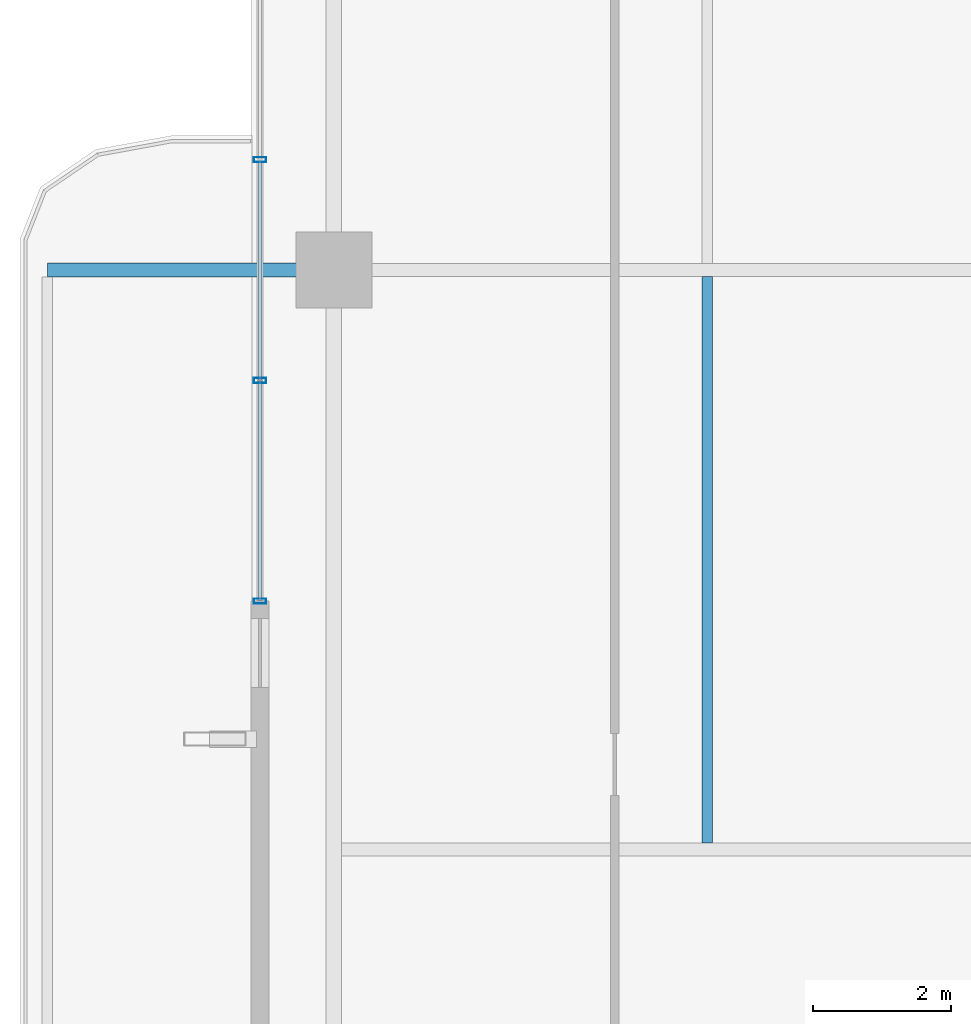
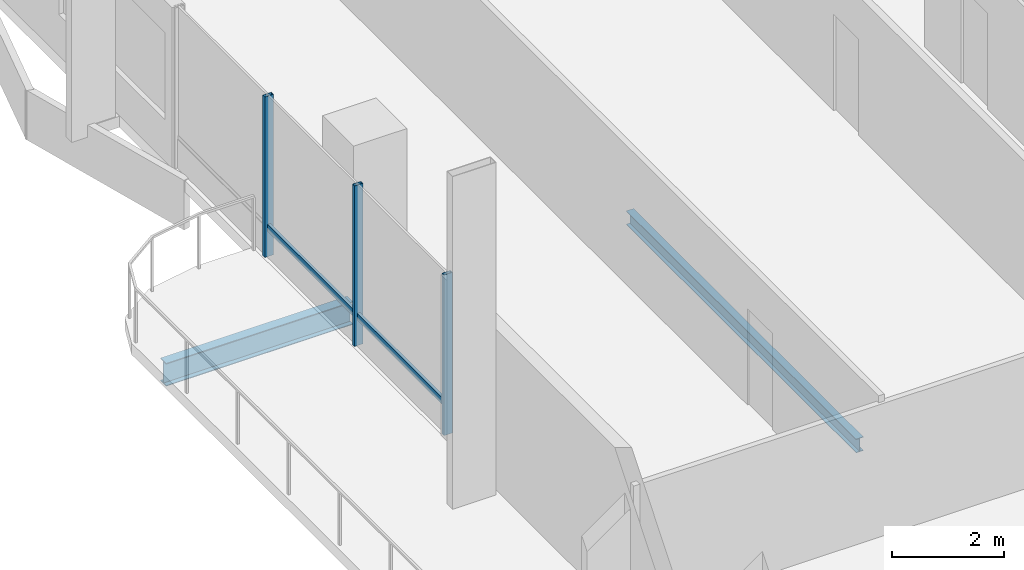
# One storey, part 4 of 24: 5 members, 2 beams, 1 element without a shape of its own.
"""IFC4 building model written with IfcOpenShell, lengths in metres."""

from ifc_helpers import new_model, si_unit, direction, frame, origin, origin_2d, place, context, subcontext, project, spatial, hollow_rectangle, i_section, extrude, material, layer, layer_set, material_profile, profile_set, type_object, element, aggregate, save


model = new_model("IFC4")

# Units and contexts
model_context = context("Model", 3, precision=1e-05, world=origin(), true_north=direction((0.0, 1.0)))
body_context = subcontext(model_context, "Body", "Model", "MODEL_VIEW")
ifc_project = project(units=[si_unit("LENGTHUNIT", "METRE"), si_unit("AREAUNIT", "SQUARE_METRE"), si_unit("VOLUMEUNIT", "CUBIC_METRE"), si_unit("PLANEANGLEUNIT", "RADIAN"), si_unit("MASSUNIT", "GRAM", prefix="KILO")], contexts=[model_context])

# Site, building, storey
site_placement = place(None, origin())
site = spatial("IfcSite", under=ifc_project, at=site_placement, CompositionType="ELEMENT")
building_placement = place(site_placement, origin())
building = spatial("IfcBuilding", under=site, at=building_placement, Name="Belovzor Exchange Tower", CompositionType="ELEMENT")
storey_placement = place(building_placement, frame((0.0, 0.0, 211.199951171875)))
storey = spatial("IfcBuildingStorey", under=building, at=storey_placement, Name="L52", CompositionType="ELEMENT", Elevation=211.199951171875)

# Beams
ifc_material_1 = material(Name="Steel S355", Category="steel")
ifc_material_profile_1 = material_profile(ifc_material_1, i_section(OverallWidth=0.199951171875, OverallDepth=0.5, WebThickness=0.01025390625, FlangeThickness=0.01611328125, at=origin_2d()))
ifc_profile_set_1 = profile_set([ifc_material_profile_1], Name="Steel S355")
beam_type_1 = type_object("IfcBeamType", Name="Planted Balcony Cantilever Beam IPE 500", PredefinedType="BEAM", material=ifc_profile_set_1)
beam_1_placement = place(storey_placement, frame((2.697021484375, 28.800048828125, -0.5), z_axis=(-1.0, 0.0, 0.0), x_axis=(0.0, -1.0, 0.0)))
element("IfcBeam", 1, at=beam_1_placement, inside=storey, type_object=beam_type_1, Name="BC-500 Planted Balcony Cantilever Beam IPE 500", PredefinedType="BEAM", context=body_context, shape_type="SweptSolid", body=[
    extrude(i_section(OverallWidth=0.199951171875, OverallDepth=0.5, WebThickness=0.01025390625, FlangeThickness=0.01611328125, at=origin_2d()), origin(), (0.0, 0.0, 1.0), 3.85009765625),
])
ifc_material_2 = material(Name="Steel S355", Category="steel")
ifc_material_profile_2 = material_profile(ifc_material_2, i_section(OverallWidth=0.14990234375, OverallDepth=0.300048828125, WebThickness=0.007080078125, FlangeThickness=0.0107421875, at=origin_2d()))
ifc_profile_set_2 = profile_set([ifc_material_profile_2], Name="Steel S355")
beam_type_2 = type_object("IfcBeamType", Name="Secondary Trim Floor Joist IPE 300", PredefinedType="BEAM", material=ifc_profile_set_2)
beam_2_placement = place(storey_placement, frame((8.4130859375, 20.4951171875, -0.39990234375), z_axis=(0.0, 1.0, 0.0), x_axis=(-1.0, 0.0, 0.0)))
element("IfcBeam", 2, at=beam_2_placement, inside=storey, type_object=beam_type_2, Name="FJ-300 Secondary Trim Floor Joist IPE 300", PredefinedType="BEAM", context=body_context, shape_type="SweptSolid", body=[
    extrude(i_section(OverallWidth=0.14990234375, OverallDepth=0.300048828125, WebThickness=0.007080078125, FlangeThickness=0.0107421875, at=origin_2d()), origin(), (0.0, 0.0, 1.0), 8.2099609375),
])

# Curtain wall, members
ifc_material_3 = material(Name="Anodised Aluminium Framing", Category="aluminium")
ifc_layer = layer(ifc_material_3, 0.179931640625)
ifc_layer_set = layer_set([ifc_layer], Name="Anodised Aluminium Framing")
curtain_wall_type = type_object("IfcCurtainWallType", Name="Recessed Loggia Low-Iron Triple-Glazed Curtain Wall", PredefinedType="NOTDEFINED", material=ifc_layer_set)
curtain_wall_placement = place(storey_placement, origin())
curtain_wall = element("IfcCurtainWall", 3, at=curtain_wall_placement, inside=storey, type_object=curtain_wall_type, Name="CW3 Recessed Loggia Low-Iron Triple-Glazed Curtain Wall L52", PredefinedType="NOTDEFINED")
ifc_material_4 = material(Name="Steel S355", Category="steel")
ifc_material_profile_3 = material_profile(ifc_material_4, hollow_rectangle(XDim=0.074951171875, YDim=0.179931640625, WallThickness=0.0048828125, at=origin_2d()))
ifc_profile_set_3 = profile_set([ifc_material_profile_3], Name="Steel S355")
member_type_1 = type_object("IfcMemberType", Name="Thermally Broken Curtain Wall Mullion 180x75", PredefinedType="MULLION", material=ifc_profile_set_3)
member_1_placement = place(storey_placement, frame((1.929931640625, 24.0, 0.0), z_axis=(0.0, 0.0, 1.0), x_axis=(0.0, 1.0, 0.0)))
member_1 = element("IfcMember", 4, at=member_1_placement, type_object=member_type_1, Name="CW-M180 Curtain Wall Mullion 1", PredefinedType="MULLION", context=body_context, shape_type="SweptSolid", body=[
    extrude(hollow_rectangle(XDim=0.074951171875, YDim=0.179931640625, WallThickness=0.0048828125, at=origin_2d()), origin(), (0.0, 0.0, 1.0), 3.5),
])
member_2_placement = place(storey_placement, frame((1.929931640625, 27.199951171875, 0.0), z_axis=(0.0, 0.0, 1.0), x_axis=(0.0, 1.0, 0.0)))
member_2 = element("IfcMember", 5, at=member_2_placement, type_object=member_type_1, Name="CW-M180 Curtain Wall Mullion 2", PredefinedType="MULLION", context=body_context, shape_type="SweptSolid", body=[
    extrude(hollow_rectangle(XDim=0.074951171875, YDim=0.179931640625, WallThickness=0.0048828125, at=origin_2d()), origin(), (0.0, 0.0, 1.0), 3.5),
])
member_3_placement = place(storey_placement, frame((1.929931640625, 30.39990234375, 0.0), z_axis=(0.0, 0.0, 1.0), x_axis=(0.0, 1.0, 0.0)))
member_3 = element("IfcMember", 6, at=member_3_placement, type_object=member_type_1, Name="CW-M180 Curtain Wall Mullion 3", PredefinedType="MULLION", context=body_context, shape_type="SweptSolid", body=[
    extrude(hollow_rectangle(XDim=0.074951171875, YDim=0.179931640625, WallThickness=0.0048828125, at=origin_2d()), origin(), (0.0, 0.0, 1.0), 3.5),
])
ifc_material_5 = material(Name="Steel S355", Category="steel")
ifc_material_profile_4 = material_profile(ifc_material_5, hollow_rectangle(XDim=0.06005859375, YDim=0.14990234375, WallThickness=0.00390625, at=origin_2d()))
ifc_profile_set_4 = profile_set([ifc_material_profile_4], Name="Steel S355")
member_type_2 = type_object("IfcMemberType", Name="Thermally Broken Curtain Wall Transom 150x60", PredefinedType="USERDEFINED", material=ifc_profile_set_4)
member_4_placement = place(storey_placement, frame((1.929931640625, 24.008056640625, 0.630126953125), z_axis=(0.0, 1.0, 0.0), x_axis=(-1.0, 0.0, 0.0)))
member_4 = element("IfcMember", 7, at=member_4_placement, type_object=member_type_2, Name="CW-T150 Curtain Wall Transom 1", ObjectType="TRANSOM", PredefinedType="USERDEFINED", context=body_context, shape_type="SweptSolid", body=[
    extrude(hollow_rectangle(XDim=0.06005859375, YDim=0.14990234375, WallThickness=0.00390625, at=origin_2d()), origin(), (0.0, 0.0, 1.0), 3.183837890625),
])
member_5_placement = place(storey_placement, frame((1.929931640625, 27.2080078125, 0.630126953125), z_axis=(0.0, 1.0, 0.0), x_axis=(-1.0, 0.0, 0.0)))
member_5 = element("IfcMember", 8, at=member_5_placement, type_object=member_type_2, Name="CW-T150 Curtain Wall Transom 2", ObjectType="TRANSOM", PredefinedType="USERDEFINED", context=body_context, shape_type="SweptSolid", body=[
    extrude(hollow_rectangle(XDim=0.06005859375, YDim=0.14990234375, WallThickness=0.00390625, at=origin_2d()), origin(), (0.0, 0.0, 1.0), 3.18408203125),
])
aggregate(curtain_wall, [member_1, member_2, member_3, member_4, member_5])

save(model, "model.ifc")
